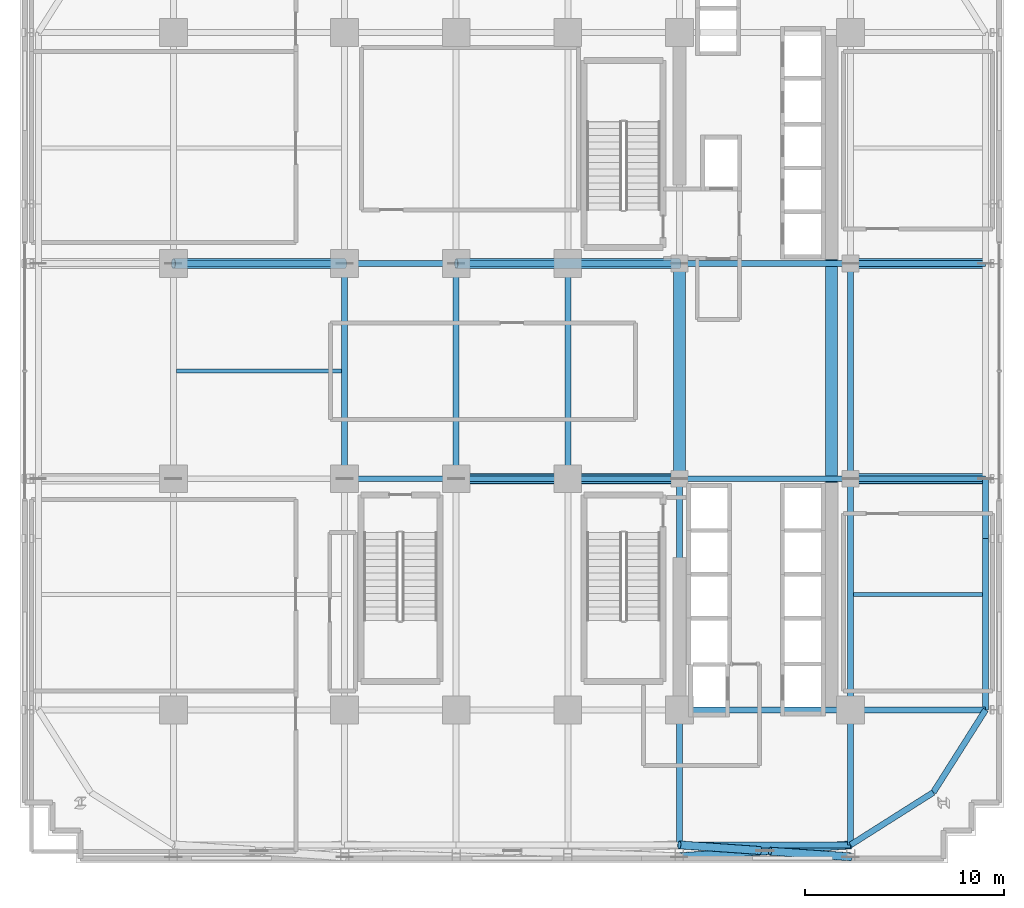
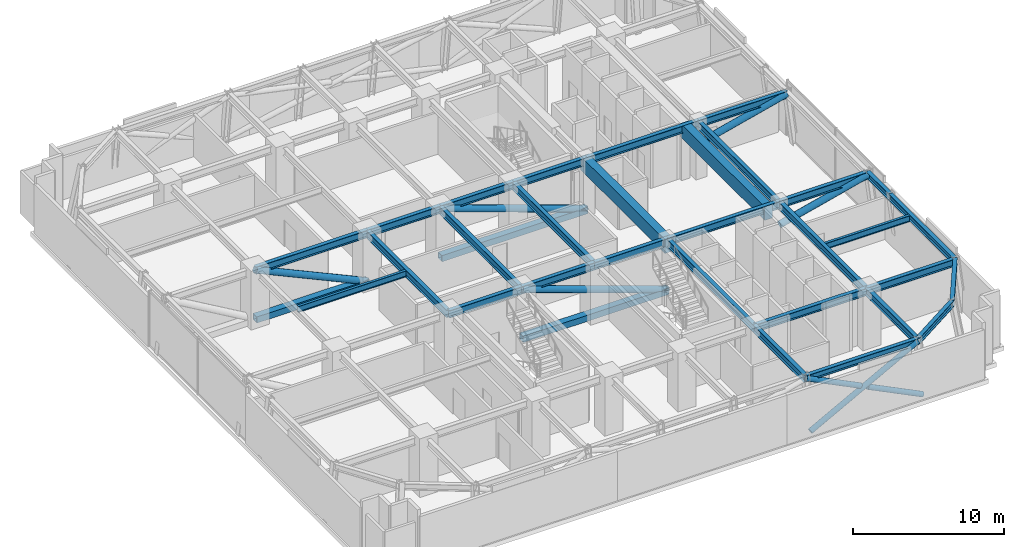
# One storey, part 4 of 17: 30 beams, 11 members.
"""IFC4 building model written with IfcOpenShell, lengths in metres."""

from ifc_helpers import new_model, si_unit, direction, frame, origin, origin_2d, place, context, subcontext, project, spatial, rectangle, hollow_rectangle, hollow_circle, i_section, extrude, source, transform, mapped, material, material_profile, profile_set, type_object, element, save


model = new_model("IFC4")

# Units and contexts
model_context = context("Model", 3, precision=1e-05, world=origin(), true_north=direction((0.0, 1.0)))
body_context = subcontext(model_context, "Body", "Model", "MODEL_VIEW")
ifc_project = project(units=[si_unit("LENGTHUNIT", "METRE"), si_unit("AREAUNIT", "SQUARE_METRE"), si_unit("VOLUMEUNIT", "CUBIC_METRE"), si_unit("PLANEANGLEUNIT", "RADIAN"), si_unit("MASSUNIT", "GRAM", prefix="KILO")], contexts=[model_context])

# Site, building, storey
site_placement = place(None, origin())
site = spatial("IfcSite", under=ifc_project, at=site_placement, CompositionType="ELEMENT")
building_placement = place(site_placement, origin())
building = spatial("IfcBuilding", under=site, at=building_placement, Name="Nahalor Promenade Grand Hotel", CompositionType="ELEMENT")
storey_placement = place(building_placement, frame((0.0, 0.0, 83.5)))
storey = spatial("IfcBuildingStorey", under=building, at=storey_placement, Name="L20", CompositionType="ELEMENT", Elevation=83.5)

# Beams
ifc_material_1 = material(Name="Concrete B-60 (C50/60)", Category="concrete")
ifc_material_profile_1 = material_profile(ifc_material_1, rectangle(XDim=0.6, YDim=1.1, at=origin_2d()), Name="RC 600x1100")
ifc_profile_set_1 = profile_set([ifc_material_profile_1], Name="Concrete B-60 (C50/60)")
beam_type_1 = type_object("IfcBeamType", Name="Beam-Lintel-RC1100", PredefinedType="LINTEL", material=ifc_profile_set_1)
shared_shape_1 = source(origin(), body_context, "Body", "SweptSolid", [
    extrude(rectangle(XDim=0.6, YDim=1.1, at=origin_2d()), origin(), (0.0, 0.0, 1.0), 11.2001953125),
])
for number, where, z_axis, x_axis, name in (
    (1, (8.39990234375, -5.60009765625, 3.97998046875), (0.0, 1.0, 0.0), (-1.0, 0.0, 0.0), "BM-L20-LINT-W"),
    (2, (16.050048828125, -5.60009765625, 3.97998046875), (0.0, 1.0, 0.0), (-1.0, 0.0, 0.0), "BM-L20-LINT-E"),
):
    element("IfcBeam", number, at=place(storey_placement, frame(where, z_axis=z_axis, x_axis=x_axis)), inside=storey, type_object=beam_type_1, Name=name, PredefinedType="LINTEL", context=body_context, shape_type="MappedRepresentation", body=[
        mapped(shared_shape_1, transform((0.0, 0.0, 0.0), scale=1.0)),
    ])
ifc_material_2 = material(Name="Steel S355JR", Category="steel")
ifc_material_profile_2 = material_profile(ifc_material_2, i_section(OverallWidth=0.3, OverallDepth=0.6, WebThickness=0.0155, FlangeThickness=0.03, at=origin_2d()), Name="HEB 600")
ifc_profile_set_2 = profile_set([ifc_material_profile_2], Name="Steel S355JR")
beam_type_2 = type_object("IfcBeamType", Name="Beam-Girder-HEB600", PredefinedType="BEAM", material=ifc_profile_set_2)
shared_shape_2 = source(origin(), body_context, "Body", "SweptSolid", [
    extrude(i_section(OverallWidth=0.3, OverallDepth=0.6, WebThickness=0.0155, FlangeThickness=0.03, at=origin_2d()), origin(), (0.0, 0.0, 1.0), 8.60009765625),
])
for number, where, z_axis, x_axis, name in (
    (3, (8.39990234375, -17.0, 4.22998046875), (1.0, 0.0, 0.0), (0.0, 1.0, 0.0), "BM-L20-GX-0-5"),
    (4, (8.39990234375, -5.39990234375, 4.22998046875), (1.0, 0.0, 0.0), (0.0, 1.0, 0.0), "BM-L20-GX-1-5"),
    (5, (-17.0, 5.39990234375, 4.22998046875), (1.0, 0.0, 0.0), (0.0, 1.0, 0.0), "BM-L20-GX-2-1"),
    (6, (8.39990234375, 5.39990234375, 4.22998046875), (1.0, 0.0, 0.0), (0.0, 1.0, 0.0), "BM-L20-GX-2-5"),
):
    element("IfcBeam", number, at=place(storey_placement, frame(where, z_axis=z_axis, x_axis=x_axis)), inside=storey, type_object=beam_type_2, Name=name, PredefinedType="BEAM", context=body_context, shape_type="MappedRepresentation", body=[
        mapped(shared_shape_2, transform((0.0, 0.0, 0.0), scale=1.0)),
    ])
shared_shape_3 = source(origin(), body_context, "Body", "SweptSolid", [
    extrude(i_section(OverallWidth=0.3, OverallDepth=0.6, WebThickness=0.0155, FlangeThickness=0.03, at=origin_2d()), origin(), (0.0, 0.0, 1.0), 5.599853515625),
])
for number, where, z_axis, x_axis, name in (
    (7, (-8.39990234375, -5.39990234375, 4.22998046875), (1.0, 0.0, 0.0), (0.0, 1.0, 0.0), "BM-L20-GX-1-2"),
    (8, (2.800048828125, -5.39990234375, 4.22998046875), (1.0, 0.0, 0.0), (0.0, 1.0, 0.0), "BM-L20-GX-1-4"),
    (9, (-8.39990234375, 5.39990234375, 4.22998046875), (1.0, 0.0, 0.0), (0.0, 1.0, 0.0), "BM-L20-GX-2-2"),
    (10, (2.800048828125, 5.39990234375, 4.22998046875), (1.0, 0.0, 0.0), (0.0, 1.0, 0.0), "BM-L20-GX-2-4"),
):
    element("IfcBeam", number, at=place(storey_placement, frame(where, z_axis=z_axis, x_axis=x_axis)), inside=storey, type_object=beam_type_2, Name=name, PredefinedType="BEAM", context=body_context, shape_type="MappedRepresentation", body=[
        mapped(shared_shape_3, transform((0.0, 0.0, 0.0), scale=1.0)),
    ])
shared_shape_4 = source(origin(), body_context, "Body", "SweptSolid", [
    extrude(i_section(OverallWidth=0.3, OverallDepth=0.6, WebThickness=0.0155, FlangeThickness=0.03, at=origin_2d()), origin(), (0.0, 0.0, 1.0), 5.60009765625),
])
for number, where, z_axis, x_axis, name in (
    (11, (-2.800048828125, -5.39990234375, 4.22998046875), (1.0, 0.0, 0.0), (0.0, 1.0, 0.0), "BM-L20-GX-1-3"),
    (12, (-2.800048828125, 5.39990234375, 4.22998046875), (1.0, 0.0, 0.0), (0.0, 1.0, 0.0), "BM-L20-GX-2-3"),
):
    element("IfcBeam", number, at=place(storey_placement, frame(where, z_axis=z_axis, x_axis=x_axis)), inside=storey, type_object=beam_type_2, Name=name, PredefinedType="BEAM", context=body_context, shape_type="MappedRepresentation", body=[
        mapped(shared_shape_4, transform((0.0, 0.0, 0.0), scale=1.0)),
    ])
shared_shape_5 = source(origin(), body_context, "Body", "SweptSolid", [
    extrude(i_section(OverallWidth=0.3, OverallDepth=0.6, WebThickness=0.0155, FlangeThickness=0.03, at=origin_2d()), origin(), (0.0, 0.0, 1.0), 11.60009765625),
])
for number, where, z_axis, x_axis, name in (
    (13, (8.39990234375, -17.0, 4.22998046875), (0.0, 1.0, 0.0), (-1.0, 0.0, 0.0), "BM-L20-GY-4-1"),
    (14, (17.0, -17.0, 4.22998046875), (0.0, 1.0, 0.0), (-1.0, 0.0, 0.0), "BM-L20-GY-5-1"),
):
    element("IfcBeam", number, at=place(storey_placement, frame(where, z_axis=z_axis, x_axis=x_axis)), inside=storey, type_object=beam_type_2, Name=name, PredefinedType="BEAM", context=body_context, shape_type="MappedRepresentation", body=[
        mapped(shared_shape_5, transform((0.0, 0.0, 0.0), scale=1.0)),
    ])
shared_shape_6 = source(origin(), body_context, "Body", "SweptSolid", [
    extrude(i_section(OverallWidth=0.3, OverallDepth=0.6, WebThickness=0.0155, FlangeThickness=0.03, at=origin_2d()), origin(), (0.0, 0.0, 1.0), 10.7998046875),
])
for number, where, z_axis, x_axis, name in (
    (15, (-8.39990234375, -5.39990234375, 4.22998046875), (0.0, 1.0, 0.0), (-1.0, 0.0, 0.0), "BM-L20-GY-1-2"),
    (16, (-2.800048828125, -5.39990234375, 4.22998046875), (0.0, 1.0, 0.0), (-1.0, 0.0, 0.0), "BM-L20-GY-2-2"),
    (17, (2.800048828125, -5.39990234375, 4.22998046875), (0.0, 1.0, 0.0), (-1.0, 0.0, 0.0), "BM-L20-GY-3-2"),
    (18, (17.0, -5.39990234375, 4.22998046875), (0.0, 1.0, 0.0), (-1.0, 0.0, 0.0), "BM-L20-GY-5-2"),
):
    element("IfcBeam", number, at=place(storey_placement, frame(where, z_axis=z_axis, x_axis=x_axis)), inside=storey, type_object=beam_type_2, Name=name, PredefinedType="BEAM", context=body_context, shape_type="MappedRepresentation", body=[
        mapped(shared_shape_6, transform((0.0, 0.0, 0.0), scale=1.0)),
    ])
ifc_material_profile_3 = material_profile(ifc_material_2, i_section(OverallWidth=0.3, OverallDepth=0.5, WebThickness=0.0145, FlangeThickness=0.028, at=origin_2d()), Name="HEB 500")
ifc_profile_set_3 = profile_set([ifc_material_profile_3], Name="Steel S355JR")
beam_type_3 = type_object("IfcBeamType", Name="Beam-Spandrel-HEB500", PredefinedType="SPANDREL", material=ifc_profile_set_3)
shared_shape_7 = source(origin(), body_context, "Body", "SweptSolid", [
    extrude(i_section(OverallWidth=0.3, OverallDepth=0.5, WebThickness=0.0145, FlangeThickness=0.028, at=origin_2d()), origin(), (0.0, 0.0, 1.0), 8.60009765625),
])
for number, where, z_axis, x_axis, name in (
    (19, (8.39990234375, -23.780029296875, 4.280029296875), (1.0, 0.0, 0.0), (0.0, 1.0, 0.0), "BM-L20-SP-S-4"),
    (20, (23.780029296875, -17.0, 4.280029296875), (0.0, 1.0, 0.0), (-1.0, 0.0, 0.0), "BM-L20-SP-E-0"),
):
    element("IfcBeam", number, at=place(storey_placement, frame(where, z_axis=z_axis, x_axis=x_axis)), inside=storey, type_object=beam_type_3, Name=name, PredefinedType="SPANDREL", context=body_context, shape_type="MappedRepresentation", body=[
        mapped(shared_shape_7, transform((0.0, 0.0, 0.0), scale=1.0)),
    ])
shared_shape_8 = source(origin(), body_context, "Body", "SweptSolid", [
    extrude(i_section(OverallWidth=0.3, OverallDepth=0.5, WebThickness=0.0145, FlangeThickness=0.028, at=origin_2d()), origin(), (0.0, 0.0, 1.0), 3.0),
])
beam_1_placement = place(storey_placement, frame((23.780029296875, -8.39990234375, 4.280029296875), z_axis=(0.0, 1.0, 0.0), x_axis=(-1.0, 0.0, 0.0)))
element("IfcBeam", 21, at=beam_1_placement, inside=storey, type_object=beam_type_3, Name="BM-L20-SP-E-1", PredefinedType="SPANDREL", context=body_context, shape_type="MappedRepresentation", body=[
    mapped(shared_shape_8, transform((0.0, 0.0, 0.0), scale=1.0)),
])
ifc_material_profile_4 = material_profile(ifc_material_2, i_section(OverallWidth=0.2, OverallDepth=0.5, WebThickness=0.0102, FlangeThickness=0.016, at=origin_2d()), Name="IPE 500")
ifc_profile_set_4 = profile_set([ifc_material_profile_4], Name="Steel S355JR")
beam_type_4 = type_object("IfcBeamType", Name="Beam-Joist-IPE500", PredefinedType="JOIST", material=ifc_profile_set_4)
shared_shape_9 = source(origin(), body_context, "Body", "SweptSolid", [
    extrude(i_section(OverallWidth=0.2, OverallDepth=0.5, WebThickness=0.0102, FlangeThickness=0.016, at=origin_2d()), origin(), (0.0, 0.0, 1.0), 8.300048828125),
])
beam_2_placement = place(storey_placement, frame((-16.85009765625, 0.0, 4.280029296875), z_axis=(1.0, 0.0, 0.0), x_axis=(0.0, 1.0, 0.0)))
element("IfcBeam", 22, at=beam_2_placement, inside=storey, type_object=beam_type_4, Name="BM-L20-JSC-0", PredefinedType="JOIST", context=body_context, shape_type="MappedRepresentation", body=[
    mapped(shared_shape_9, transform((0.0, 0.0, 0.0), scale=1.0)),
])
shared_shape_10 = source(origin(), body_context, "Body", "SweptSolid", [
    extrude(i_section(OverallWidth=0.3, OverallDepth=0.6, WebThickness=0.0155, FlangeThickness=0.03, at=origin_2d()), origin(), (0.0, 0.0, 1.0), 6.780029296875),
])
for number, where, z_axis, x_axis, name in (
    (23, (17.0, -17.0, 4.22998046875), (1.0, 0.0, 0.0), (0.0, 1.0, 0.0), "BM-L20-GX-0-6"),
    (24, (17.0, -5.39990234375, 4.22998046875), (1.0, 0.0, 0.0), (0.0, 1.0, 0.0), "BM-L20-GX-1-6"),
    (25, (17.0, 5.39990234375, 4.22998046875), (1.0, 0.0, 0.0), (0.0, 1.0, 0.0), "BM-L20-GX-2-6"),
    (26, (8.39990234375, -23.780029296875, 4.22998046875), (0.0, 1.0, 0.0), (-1.0, 0.0, 0.0), "BM-L20-GY-4-0"),
    (27, (17.0, -23.780029296875, 4.22998046875), (0.0, 1.0, 0.0), (-1.0, 0.0, 0.0), "BM-L20-GY-5-0"),
):
    element("IfcBeam", number, at=place(storey_placement, frame(where, z_axis=z_axis, x_axis=x_axis)), inside=storey, type_object=beam_type_2, Name=name, PredefinedType="BEAM", context=body_context, shape_type="MappedRepresentation", body=[
        mapped(shared_shape_10, transform((0.0, 0.0, 0.0), scale=1.0)),
    ])
shared_shape_11 = source(origin(), body_context, "Body", "SweptSolid", [
    extrude(i_section(OverallWidth=0.3, OverallDepth=0.5, WebThickness=0.0145, FlangeThickness=0.028, at=origin_2d()), origin(), (0.0, 0.0, 1.0), 4.9130859375),
])
for number, where, z_axis, x_axis, name in (
    (28, (17.0, -23.780029296875, 4.280029296875), (0.844648325505, 0.535321591403, 0.0), (-0.535321591403, 0.844648325505, 0.0), "BM-L20-SPC-SE-1"),
    (29, (21.14990234375, -21.14990234375, 4.280029296875), (0.535321591403, 0.844648325505, 0.0), (-0.844648325505, 0.535321591403, 0.0), "BM-L20-SPC-SE-2"),
):
    element("IfcBeam", number, at=place(storey_placement, frame(where, z_axis=z_axis, x_axis=x_axis)), inside=storey, type_object=beam_type_3, Name=name, PredefinedType="SPANDREL", context=body_context, shape_type="MappedRepresentation", body=[
        mapped(shared_shape_11, transform((0.0, 0.0, 0.0), scale=1.0)),
    ])
shared_shape_12 = source(origin(), body_context, "Body", "SweptSolid", [
    extrude(i_section(OverallWidth=0.2, OverallDepth=0.5, WebThickness=0.0102, FlangeThickness=0.016, at=origin_2d()), origin(), (0.0, 0.0, 1.0), 6.47998046875),
])
beam_3_placement = place(storey_placement, frame((17.14990234375, -11.199951171875, 4.280029296875), z_axis=(1.0, 0.0, 0.0), x_axis=(0.0, 1.0, 0.0)))
element("IfcBeam", 30, at=beam_3_placement, inside=storey, type_object=beam_type_4, Name="BM-L20-JSE-0-2", PredefinedType="JOIST", context=body_context, shape_type="MappedRepresentation", body=[
    mapped(shared_shape_12, transform((0.0, 0.0, 0.0), scale=1.0)),
])

# Members
ifc_material_3 = material(Name="Steel S355J2", Category="steel")
ifc_material_profile_5 = material_profile(ifc_material_3, hollow_rectangle(XDim=0.5, YDim=0.5, WallThickness=0.032, at=origin_2d()), Name="SHS 500x500x32")
ifc_profile_set_5 = profile_set([ifc_material_profile_5], Name="Steel S355J2")
member_type_1 = type_object("IfcMemberType", Name="Mem-Chord-SHS500", PredefinedType="CHORD", material=ifc_profile_set_5)
shared_shape_13 = source(origin(), body_context, "Body", "SweptSolid", [
    extrude(hollow_rectangle(XDim=0.5, YDim=0.5, WallThickness=0.032, at=origin_2d()), origin(), (0.0, 0.0, 1.0), 8.60009765625),
])
member_1_placement = place(storey_placement, frame((-8.39990234375, 5.39990234375, 0.300048828125), z_axis=(-1.0, 0.0, 0.0), x_axis=(0.0, -1.0, 0.0)))
element("IfcMember", 31, at=member_1_placement, inside=storey, type_object=member_type_1, Name="OU-L20-W2-C1", PredefinedType="CHORD", context=body_context, shape_type="MappedRepresentation", body=[
    mapped(shared_shape_13, transform((0.0, 0.0, 0.0), scale=1.0)),
])
ifc_material_profile_6 = material_profile(ifc_material_3, hollow_circle(Radius=0.254, WallThickness=0.025, at=origin_2d()), Name="CHS 508x25")
ifc_profile_set_6 = profile_set([ifc_material_profile_6], Name="Steel S355J2")
member_type_2 = type_object("IfcMemberType", Name="Mem-OutDiag-CHS508", PredefinedType="BRACE", material=ifc_profile_set_6)
shared_shape_14 = source(origin(), body_context, "Body", "SweptSolid", [
    extrude(hollow_circle(Radius=0.254, WallThickness=0.025, at=origin_2d()), origin(), (0.0, 0.0, 1.0), 11.8759765625),
])
for number, where, z_axis, x_axis, name in (
    (32, (8.39990234375, -5.39990234375, 0.300048828125), (-0.943068868052, 0.0, 0.3325975197), (0.0, -1.0, 0.0), "OU-L20-W1-D0"),
    (33, (8.39990234375, 5.39990234375, 0.300048828125), (-0.943068868052, 0.0, 0.3325975197), (0.0, -1.0, 0.0), "OU-L20-W2-D0"),
):
    element("IfcMember", number, at=place(storey_placement, frame(where, z_axis=z_axis, x_axis=x_axis)), inside=storey, type_object=member_type_2, Name=name, PredefinedType="BRACE", context=body_context, shape_type="MappedRepresentation", body=[
        mapped(shared_shape_14, transform((0.0, 0.0, 0.0), scale=1.0)),
    ])
shared_shape_15 = source(origin(), body_context, "Body", "SweptSolid", [
    extrude(hollow_rectangle(XDim=0.5, YDim=0.5, WallThickness=0.032, at=origin_2d()), origin(), (0.0, 0.0, 1.0), 11.199951171875),
])
for number, where, z_axis, x_axis, name in (
    (34, (8.39990234375, -5.39990234375, 0.300048828125), (-1.0, 0.0, 0.0), (0.0, -1.0, 0.0), "OU-L20-W1-C0"),
    (35, (8.39990234375, 5.39990234375, 0.300048828125), (-1.0, 0.0, 0.0), (0.0, -1.0, 0.0), "OU-L20-W2-C0"),
):
    element("IfcMember", number, at=place(storey_placement, frame(where, z_axis=z_axis, x_axis=x_axis)), inside=storey, type_object=member_type_1, Name=name, PredefinedType="CHORD", context=body_context, shape_type="MappedRepresentation", body=[
        mapped(shared_shape_15, transform((0.0, 0.0, 0.0), scale=1.0)),
    ])
shared_shape_16 = source(origin(), body_context, "Body", "SweptSolid", [
    extrude(hollow_circle(Radius=0.254, WallThickness=0.025, at=origin_2d()), origin(), (0.0, 0.0, 1.0), 6.989990234375),
])
for number, where, z_axis, x_axis, name in (
    (36, (17.0, -5.39990234375, 2.550048828125), (0.969975851768, 0.0, 0.243201247915), (0.0, 1.0, 0.0), "OU-L20-E1-D0"),
    (37, (17.0, 5.39990234375, 2.550048828125), (0.969975851768, 0.0, 0.243201247915), (0.0, 1.0, 0.0), "OU-L20-E2-D0"),
):
    element("IfcMember", number, at=place(storey_placement, frame(where, z_axis=z_axis, x_axis=x_axis)), inside=storey, type_object=member_type_2, Name=name, PredefinedType="BRACE", context=body_context, shape_type="MappedRepresentation", body=[
        mapped(shared_shape_16, transform((0.0, 0.0, 0.0), scale=1.0)),
    ])
shared_shape_17 = source(origin(), body_context, "Body", "SweptSolid", [
    extrude(hollow_circle(Radius=0.254, WallThickness=0.025, at=origin_2d()), origin(), (0.0, 0.0, 1.0), 9.4638671875),
])
member_2_placement = place(storey_placement, frame((-8.39990234375, 5.39990234375, 0.300048828125), z_axis=(-0.908734762388, 0.0, 0.417374090748), x_axis=(0.0, -1.0, 0.0)))
element("IfcMember", 38, at=member_2_placement, inside=storey, type_object=member_type_2, Name="OU-L20-W2-D1", PredefinedType="BRACE", context=body_context, shape_type="MappedRepresentation", body=[
    mapped(shared_shape_17, transform((0.0, 0.0, 0.0), scale=1.0)),
])
ifc_material_profile_7 = material_profile(ifc_material_3, hollow_circle(Radius=0.2032, WallThickness=0.02, at=origin_2d()), Name="CHS 406.4x20")
ifc_profile_set_7 = profile_set([ifc_material_profile_7], Name="Steel S355J2")
member_type_3 = type_object("IfcMemberType", Name="Mem-BeltDiag-CHS406", PredefinedType="BRACE", material=ifc_profile_set_7)
shared_shape_18 = source(origin(), body_context, "Body", "SweptSolid", [
    extrude(hollow_circle(Radius=0.2032, WallThickness=0.02, at=origin_2d()), origin(), (0.0, 0.0, 1.0), 9.48291015625),
])
member_3_placement = place(storey_placement, frame((8.39990234375, -24.3798828125, 0.300048828125), z_axis=(0.906914814743, 0.063256960763, 0.416538204387), x_axis=(-0.069580567074, 0.997576335267, 0.0)))
element("IfcMember", 39, at=member_3_placement, inside=storey, type_object=member_type_3, Name="BT-L20-S-D1-2", PredefinedType="BRACE", context=body_context, shape_type="MappedRepresentation", body=[
    mapped(shared_shape_18, transform((0.0, 0.0, 0.0), scale=1.0)),
])
shared_shape_19 = source(origin(), body_context, "Body", "SweptSolid", [
    extrude(hollow_circle(Radius=0.2032, WallThickness=0.02, at=origin_2d()), origin(), (0.0, 0.0, 1.0), 4.46240234375),
])
member_4_placement = place(storey_placement, frame((17.0, -24.3798828125, 0.300048828125), z_axis=(-0.906929497047, 0.063244887409, 0.416508069073), x_axis=(-0.069566230285, -0.997577335149, 0.0)))
element("IfcMember", 40, at=member_4_placement, inside=storey, type_object=member_type_3, Name="BT-L20-S-D2-2A", PredefinedType="BRACE", context=body_context, shape_type="MappedRepresentation", body=[
    mapped(shared_shape_19, transform((0.0, 0.0, 0.0), scale=1.0)),
])
shared_shape_20 = source(origin(), body_context, "Body", "SweptSolid", [
    extrude(hollow_circle(Radius=0.2032, WallThickness=0.02, at=origin_2d()), origin(), (0.0, 0.0, 1.0), 4.462646484375),
])
member_5_placement = place(storey_placement, frame((12.447021484375, -24.0625, 2.39111328125), z_axis=(-0.906905690785, 0.06329793595, 0.416551844703), x_axis=(-0.069626117078, -0.997573157127, 0.0)))
element("IfcMember", 41, at=member_5_placement, inside=storey, type_object=member_type_3, Name="BT-L20-S-D2-2B", PredefinedType="BRACE", context=body_context, shape_type="MappedRepresentation", body=[
    mapped(shared_shape_20, transform((0.0, 0.0, 0.0), scale=1.0)),
])

save(model, "model.ifc")
